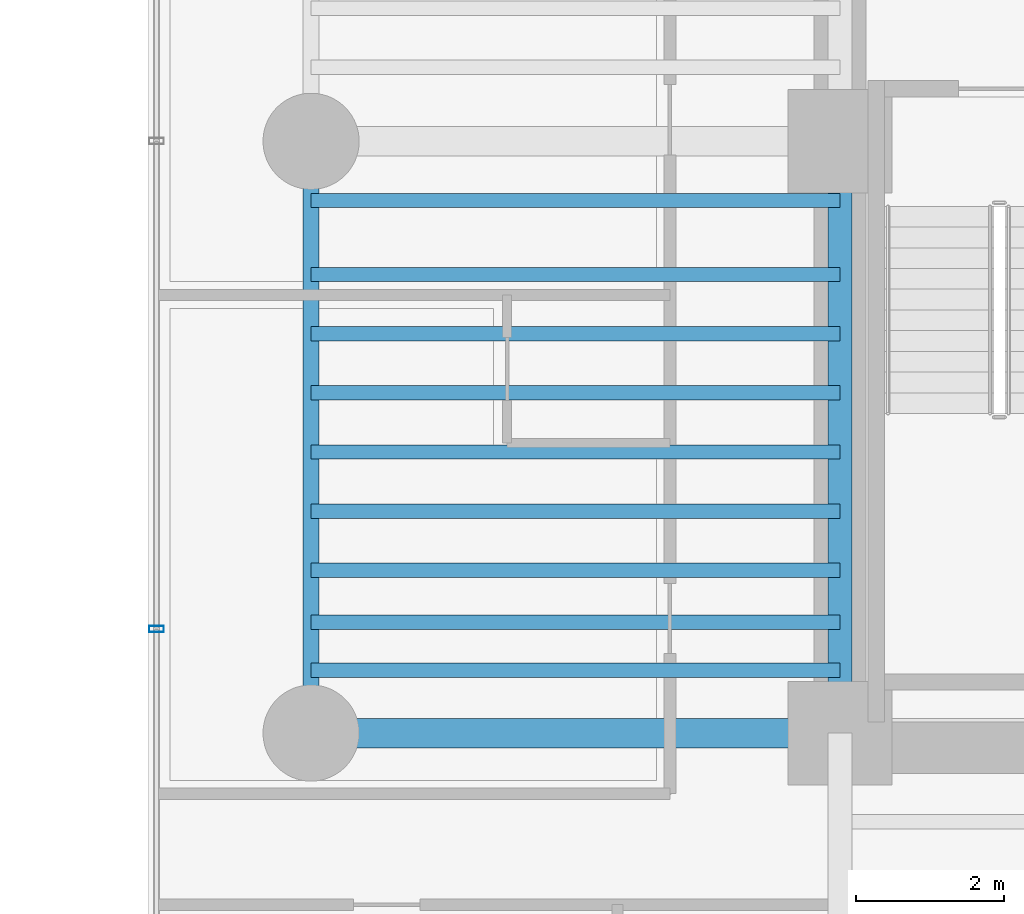
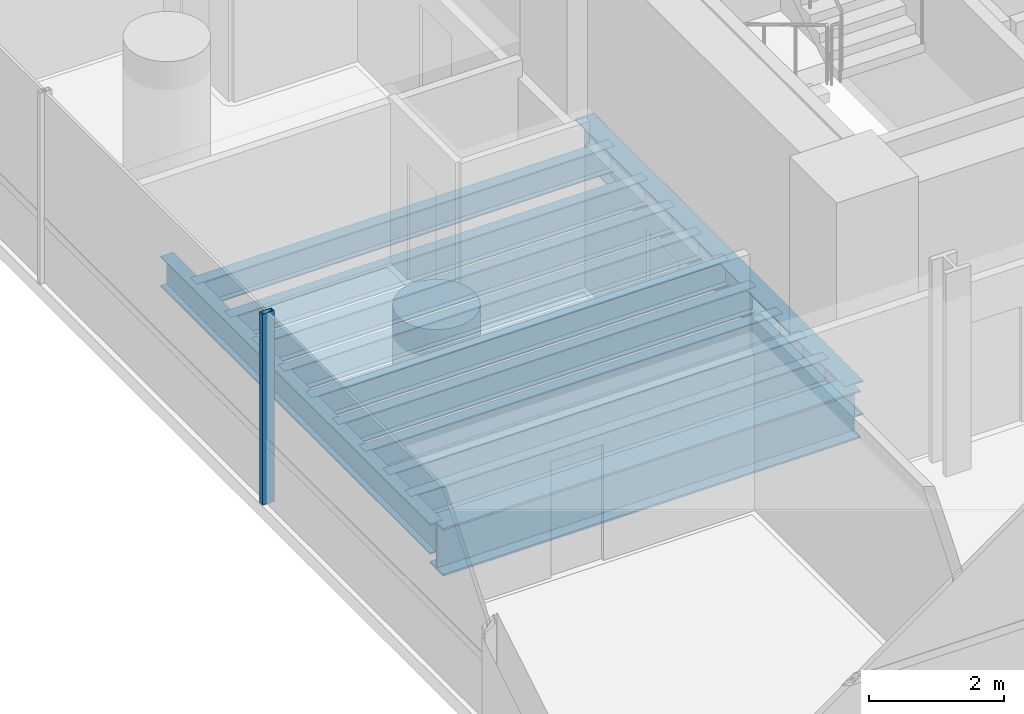
# One storey, part 4 of 41: 12 beams, 1 member, 1 element without a shape of its own.
"""IFC4 building model written with IfcOpenShell, lengths in metres."""

from ifc_helpers import new_model, si_unit, direction, frame, origin, origin_2d, place, context, subcontext, project, spatial, hollow_rectangle, i_section, extrude, source, transform, mapped, material, material_profile, profile_set, type_object, element, aggregate, save


model = new_model("IFC4")

# Units and contexts
model_context = context("Model", 3, precision=1e-05, world=origin(), true_north=direction((0.0, 1.0)))
body_context = subcontext(model_context, "Body", "Model", "MODEL_VIEW")
ifc_project = project(units=[si_unit("LENGTHUNIT", "METRE"), si_unit("AREAUNIT", "SQUARE_METRE"), si_unit("VOLUMEUNIT", "CUBIC_METRE"), si_unit("PLANEANGLEUNIT", "RADIAN"), si_unit("MASSUNIT", "GRAM", prefix="KILO")], contexts=[model_context])

# Site, building, storey
site_placement = place(None, origin())
site = spatial("IfcSite", under=ifc_project, at=site_placement, CompositionType="ELEMENT")
building_placement = place(site_placement, origin())
building = spatial("IfcBuilding", under=site, at=building_placement, Name="Valdorenza Pilgrim Sanctuary Tower", CompositionType="ELEMENT")
storey_placement = place(building_placement, frame((0.0, 0.0, 88.89990234375)))
storey = spatial("IfcBuildingStorey", under=building, at=storey_placement, Name="L22", CompositionType="ELEMENT", Elevation=88.89990234375)

# Beams
ifc_material_1 = material(Name="Steel ASTM A992 Grade 50", Category="steel")
ifc_material_profile_1 = material_profile(ifc_material_1, i_section(OverallWidth=0.214111328125, OverallDepth=0.549072265625, WebThickness=0.0146484375, FlangeThickness=0.023681640625, at=origin_2d()), Name="W21X93")
ifc_profile_set_1 = profile_set([ifc_material_profile_1], Name="Steel ASTM A992 Grade 50")
beam_type_1 = type_object("IfcBeamType", Name="STR-BM-SPN-W21A", PredefinedType="SPANDREL", material=ifc_profile_set_1)
shared_shape_1 = source(origin(), body_context, "Body", "SweptSolid", [
    extrude(i_section(OverallWidth=0.214111328125, OverallDepth=0.549072265625, WebThickness=0.0146484375, FlangeThickness=0.023681640625, at=origin_2d()), origin(), (0.0, 0.0, 1.0), 8.0),
])
beam_1_placement = place(storey_placement, frame((-29.800048828125, -10.60009765625, -0.514404296875), z_axis=(0.0, 1.0, 0.0), x_axis=(-1.0, 0.0, 0.0)))
element("IfcBeam", 1, at=beam_1_placement, inside=storey, type_object=beam_type_1, Name="L22 Spandrel Beam WA-W-S1M0", PredefinedType="SPANDREL", context=body_context, shape_type="MappedRepresentation", body=[
    mapped(shared_shape_1, transform((0.0, 0.0, 0.0), x_axis=(1.0, 0.0, 0.0), y_axis=(0.0, 1.0, 0.0), z_axis=(0.0, 0.0, 1.0), scale=1.0)),
])
ifc_material_profile_2 = material_profile(ifc_material_1, i_section(OverallWidth=0.323974609375, OverallDepth=0.611083984375, WebThickness=0.0126953125, FlangeThickness=0.01904296875, at=origin_2d()), Name="W24X104")
ifc_profile_set_2 = profile_set([ifc_material_profile_2], Name="Steel ASTM A992 Grade 50")
beam_type_2 = type_object("IfcBeamType", Name="STR-BM-GRD-W24B", PredefinedType="BEAM", material=ifc_profile_set_2)
shared_shape_2 = source(origin(), body_context, "Body", "SweptSolid", [
    extrude(i_section(OverallWidth=0.323974609375, OverallDepth=0.611083984375, WebThickness=0.0126953125, FlangeThickness=0.01904296875, at=origin_2d()), origin(), (0.0, 0.0, 1.0), 8.0),
])
beam_2_placement = place(storey_placement, frame((-22.64990234375, -10.60009765625, -0.54541015625), z_axis=(0.0, 1.0, 0.0), x_axis=(-1.0, 0.0, 0.0)))
element("IfcBeam", 2, at=beam_2_placement, inside=storey, type_object=beam_type_2, Name="L22 Core Tie Girder CA-W-S1M0", PredefinedType="BEAM", context=body_context, shape_type="MappedRepresentation", body=[
    mapped(shared_shape_2, transform((0.0, 0.0, 0.0), x_axis=(1.0, 0.0, 0.0), y_axis=(0.0, 1.0, 0.0), z_axis=(0.0, 0.0, 1.0), scale=1.0)),
])
ifc_material_profile_3 = material_profile(ifc_material_1, i_section(OverallWidth=0.193115234375, OverallDepth=0.466064453125, WebThickness=0.011474609375, FlangeThickness=0.01904296875, at=origin_2d()), Name="W18X65")
ifc_profile_set_3 = profile_set([ifc_material_profile_3], Name="Steel ASTM A992 Grade 50")
beam_type_3 = type_object("IfcBeamType", Name="STR-BM-JST-W18A", PredefinedType="JOIST", material=ifc_profile_set_3)
shared_shape_3 = source(origin(), body_context, "Body", "SweptSolid", [
    extrude(i_section(OverallWidth=0.193115234375, OverallDepth=0.466064453125, WebThickness=0.011474609375, FlangeThickness=0.01904296875, at=origin_2d()), origin(), (0.0, 0.0, 1.0), 7.150146484375),
])
for number, where, z_axis, x_axis, name in (
    (3, (-29.800048828125, -9.75, -0.472900390625), (1.0, 0.0, 0.0), (0.0, 1.0, 0.0), "L22 Composite Floor Joist JST-WA-1"),
    (4, (-29.800048828125, -9.10009765625, -0.472900390625), (1.0, 0.0, 0.0), (0.0, 1.0, 0.0), "L22 Composite Floor Joist JST-WA-2"),
    (5, (-29.800048828125, -8.39990234375, -0.472900390625), (1.0, 0.0, 0.0), (0.0, 1.0, 0.0), "L22 Composite Floor Joist JST-WA-3"),
    (6, (-29.800048828125, -7.60009765625, -0.472900390625), (1.0, 0.0, 0.0), (0.0, 1.0, 0.0), "L22 Composite Floor Joist JST-WA-4"),
    (7, (-29.800048828125, -6.800048828125, -0.472900390625), (1.0, 0.0, 0.0), (0.0, 1.0, 0.0), "L22 Composite Floor Joist JST-WA-5"),
    (8, (-29.800048828125, -6.0, -0.472900390625), (1.0, 0.0, 0.0), (0.0, 1.0, 0.0), "L22 Composite Floor Joist JST-WA-6"),
    (9, (-29.800048828125, -5.199951171875, -0.472900390625), (1.0, 0.0, 0.0), (0.0, 1.0, 0.0), "L22 Composite Floor Joist JST-WA-7"),
    (10, (-29.800048828125, -4.39990234375, -0.472900390625), (1.0, 0.0, 0.0), (0.0, 1.0, 0.0), "L22 Composite Floor Joist JST-WA-8"),
    (11, (-29.800048828125, -3.39990234375, -0.472900390625), (1.0, 0.0, 0.0), (0.0, 1.0, 0.0), "L22 Composite Floor Joist JST-WA-9"),
):
    element("IfcBeam", number, at=place(storey_placement, frame(where, z_axis=z_axis, x_axis=x_axis)), inside=storey, type_object=beam_type_3, Name=name, PredefinedType="JOIST", context=body_context, shape_type="MappedRepresentation", body=[
        mapped(shared_shape_3, transform((0.0, 0.0, 0.0), x_axis=(1.0, 0.0, 0.0), y_axis=(0.0, 1.0, 0.0), z_axis=(0.0, 0.0, 1.0), scale=1.0)),
    ])
ifc_material_profile_4 = material_profile(ifc_material_1, i_section(OverallWidth=0.39990234375, OverallDepth=0.862060546875, WebThickness=0.019775390625, FlangeThickness=0.032470703125, at=origin_2d()), Name="W33X221")
ifc_profile_set_4 = profile_set([ifc_material_profile_4], Name="Steel ASTM A992 Grade 50")
beam_type_4 = type_object("IfcBeamType", Name="STR-BM-GRD-W33", PredefinedType="BEAM", material=ifc_profile_set_4)
shared_shape_4 = source(origin(), body_context, "Body", "SweptSolid", [
    extrude(i_section(OverallWidth=0.39990234375, OverallDepth=0.862060546875, WebThickness=0.019775390625, FlangeThickness=0.032470703125, at=origin_2d()), origin(), (0.0, 0.0, 1.0), 7.150146484375),
])
beam_3_placement = place(storey_placement, frame((-29.800048828125, -10.60009765625, -0.6708984375), z_axis=(1.0, 0.0, 0.0), x_axis=(0.0, 1.0, 0.0)))
element("IfcBeam", 12, at=beam_3_placement, inside=storey, type_object=beam_type_4, Name="L22 Floor Girder WA-XW-S1", PredefinedType="BEAM", context=body_context, shape_type="MappedRepresentation", body=[
    mapped(shared_shape_4, transform((0.0, 0.0, 0.0), x_axis=(1.0, 0.0, 0.0), y_axis=(0.0, 1.0, 0.0), z_axis=(0.0, 0.0, 1.0), scale=1.0)),
])

# Curtain wall, member
ifc_material_2 = material(Name="Curtain-wall IGU glazing", Category="glass")
curtain_wall_type = type_object("IfcCurtainWallType", Name="CW-SYS-02", PredefinedType="NOTDEFINED", material=ifc_material_2)
curtain_wall_placement = place(storey_placement, origin())
curtain_wall = element("IfcCurtainWall", 13, at=curtain_wall_placement, inside=storey, type_object=curtain_wall_type, Name="L22 Curtain Wall CW-L22-1-1S1", PredefinedType="NOTDEFINED")
ifc_material_3 = material(Name="Anodised aluminium AW-6060", Category="aluminium")
ifc_material_profile_5 = material_profile(ifc_material_3, hollow_rectangle(XDim=0.0849609375, YDim=0.199951171875, WallThickness=0.0048828125, at=origin_2d()), Name="ALU-M 200x85x5")
ifc_profile_set_5 = profile_set([ifc_material_profile_5], Name="Anodised aluminium AW-6060")
member_type = type_object("IfcMemberType", Name="CW-MUL-02", PredefinedType="MULLION", material=ifc_profile_set_5)
shared_shape_5 = source(origin(), body_context, "Body", "SweptSolid", [
    extrude(hollow_rectangle(XDim=0.0849609375, YDim=0.199951171875, WallThickness=0.0048828125, at=origin_2d()), origin(), (0.0, 0.0, 1.0), 3.460205078125),
])
member_placement = place(storey_placement, frame((-31.889892578125, -9.19189453125, 0.0), z_axis=(0.0, 0.0, 1.0), x_axis=(0.0, 1.0, 0.0)))
member = element("IfcMember", 14, at=member_placement, type_object=member_type, Name="CW-L22-1-1S1 Mullion 2", PredefinedType="MULLION", context=body_context, shape_type="MappedRepresentation", body=[
    mapped(shared_shape_5, transform((0.0, 0.0, 0.0), x_axis=(1.0, 0.0, 0.0), y_axis=(0.0, 1.0, 0.0), z_axis=(0.0, 0.0, 1.0), scale=1.0)),
])
aggregate(curtain_wall, [member])

save(model, "model.ifc")
